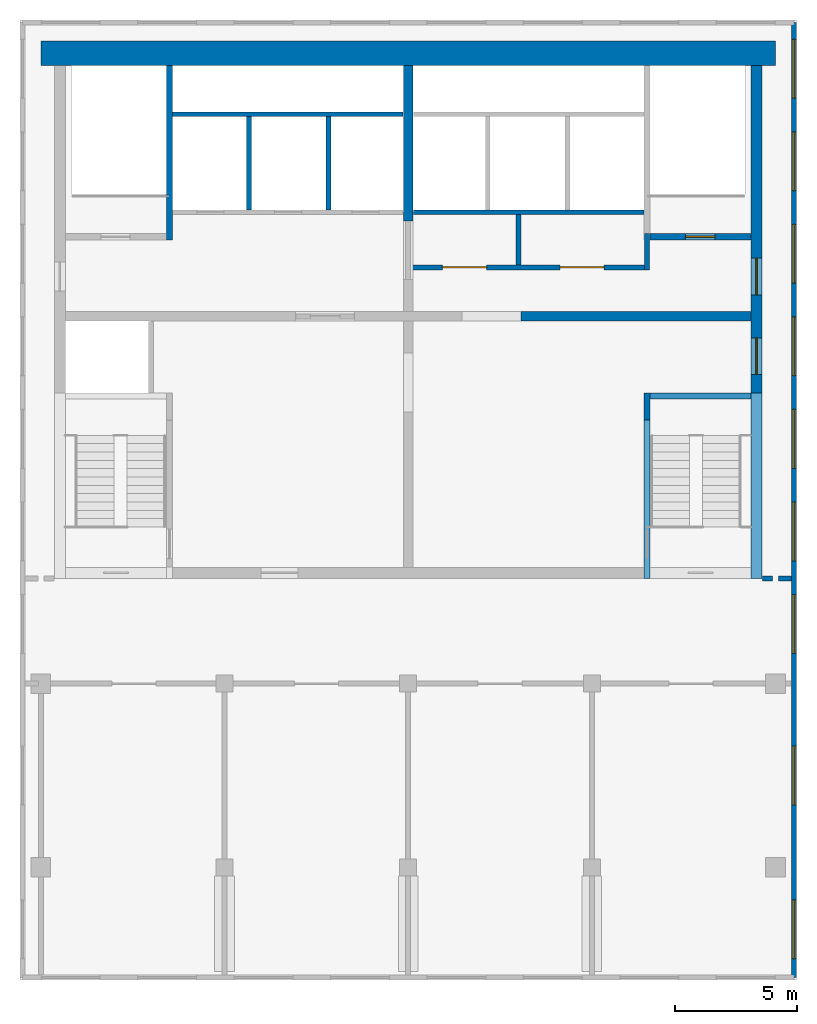
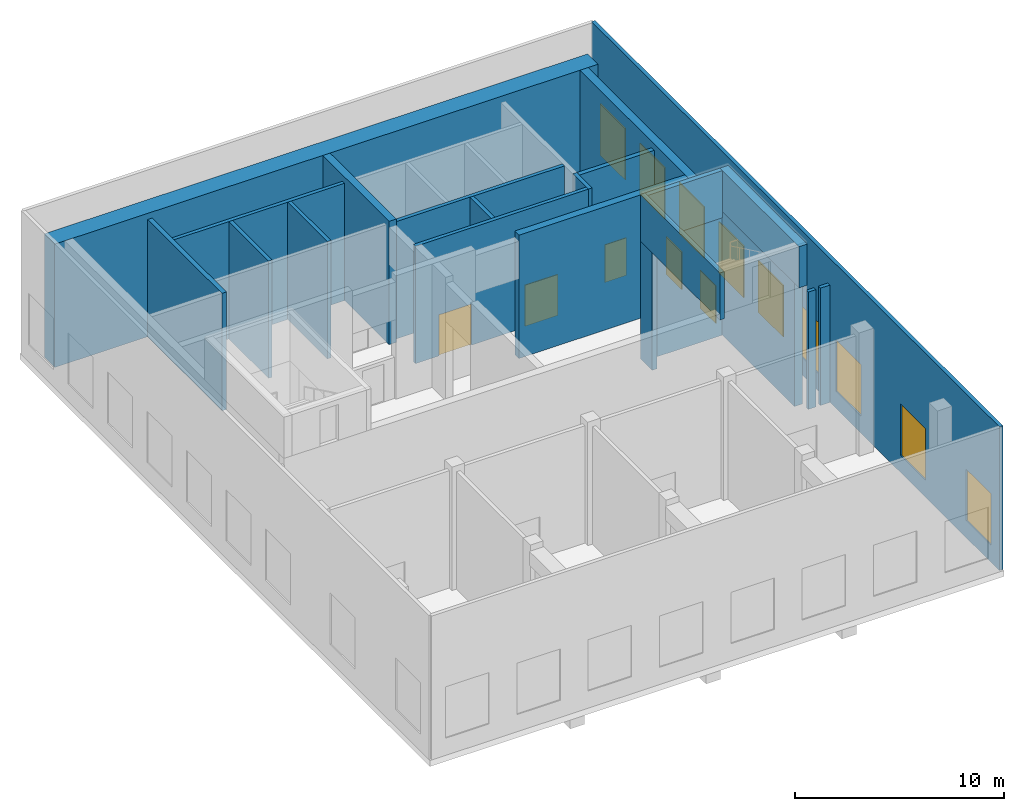
# One storey, part 3 of 5: 21 walls, 9 windows, 5 doors, 14 openings.
"""IFC4 building model written with IfcOpenShell, lengths in metres."""

from ifc_helpers import new_model, si_unit, direction, frame, frame_2d, origin, place, context, subcontext, project, spatial, rectangle, extrude, material, layer, layer_set, type_object, element, fill, save


model = new_model("IFC4")

# Units and contexts
model_context = context("Model", 3, precision=1e-05, world=origin(), true_north=direction((0.0, 1.0)))
body_context = subcontext(model_context, "Body", "Model", "MODEL_VIEW")
ifc_project = project(units=[si_unit("LENGTHUNIT", "METRE"), si_unit("AREAUNIT", "SQUARE_METRE"), si_unit("VOLUMEUNIT", "CUBIC_METRE"), si_unit("PLANEANGLEUNIT", "RADIAN"), si_unit("MASSUNIT", "GRAM", prefix="KILO")], contexts=[model_context])

# Site, building, storey
site_placement = place(None, origin())
site = spatial("IfcSite", under=ifc_project, at=site_placement, CompositionType="ELEMENT")
building_placement = place(site_placement, origin())
building = spatial("IfcBuilding", under=site, at=building_placement, Name="Pilkhan Gate Tower", CompositionType="ELEMENT")
storey_placement = place(building_placement, frame((0.0, 0.0, 292.699951171875)))
storey = spatial("IfcBuildingStorey", under=building, at=storey_placement, Name="RF", CompositionType="ELEMENT", Elevation=292.699951171875)

# Wall
ifc_material_1 = material(Name="Concrete C50/60", Category="concrete")
ifc_layer_1 = layer(ifc_material_1, 1.0)
ifc_layer_set_1 = layer_set([ifc_layer_1], Name="Core wall CW1000 C50/60")
wall_type_1 = type_object("IfcWallType", Name="Core wall CW1000 C50/60", PredefinedType="SHEAR", material=ifc_layer_set_1)
wall_1_placement = place(storey_placement, frame((90.0, 93.25, 0.0), z_axis=(0.0, 0.0, 1.0), x_axis=(-1.0, 0.0, 0.0)))
element("IfcWall", 1, at=wall_1_placement, inside=storey, type_object=wall_type_1, Name="Core wall N RF", PredefinedType="SHEAR", context=body_context, shape_type="SweptSolid", body=[
    extrude(rectangle(XDim=30.0, YDim=1.0, at=frame_2d((15.0, 0.0))), origin(), (0.0, 0.0, 1.0), 7.199951171875),
])

# Wall, openings, doors
ifc_layer_2 = layer(ifc_material_1, 0.449951171875)
ifc_layer_set_2 = layer_set([ifc_layer_2], Name="Core wall CW450 C50/60")
wall_type_2 = type_object("IfcWallType", Name="Core wall CW450 C50/60", PredefinedType="SHEAR", material=ifc_layer_set_2)
wall_2_placement = place(storey_placement, frame((89.22509765625, 72.25, 0.0), z_axis=(0.0, 0.0, 1.0), x_axis=(0.0, 1.0, 0.0)))
wall_2 = element("IfcWall", 2, at=wall_2_placement, inside=storey, type_object=wall_type_2, Name="Core wall E RF", PredefinedType="SHEAR", context=body_context, shape_type="SweptSolid", body=[
    extrude(rectangle(XDim=20.5, YDim=0.449951171875, at=frame_2d((10.25, 0.0))), origin(), (0.0, 0.0, 1.0), 7.199951171875),
])
opening_1_placement = place(wall_2_placement, frame((7.875, 0.0, 0.0)))
opening_1 = element("IfcOpeningElement", 3, at=opening_1_placement, cuts=wall_2, Name="Opening RF-07", PredefinedType="OPENING", context=body_context, shape_type="SweptSolid", body=[
    extrude(rectangle(XDim=1.5, YDim=2.199951171875, at=frame_2d((0.75, 1.10009765625))), frame((0.0, 0.23486328125, 0.0), z_axis=(0.0, -1.0, 0.0), x_axis=(1.0, 0.0, 0.0)), (0.0, 0.0, 1.0), 0.469970703125),
])
opening_2_placement = place(wall_2_placement, frame((11.125, 0.0, 0.0)))
opening_2 = element("IfcOpeningElement", 4, at=opening_2_placement, cuts=wall_2, Name="Opening RF-09", PredefinedType="OPENING", context=body_context, shape_type="SweptSolid", body=[
    extrude(rectangle(XDim=1.5, YDim=2.199951171875, at=frame_2d((0.75, 1.10009765625))), frame((0.0, 0.23486328125, 0.0), z_axis=(0.0, -1.0, 0.0), x_axis=(1.0, 0.0, 0.0)), (0.0, 0.0, 1.0), 0.469970703125),
])
ifc_material_2 = material(Name="Steel framed glazed door, 60 minute fire resisting", Category="steel")
door_type_1 = type_object("IfcDoorType", Name="Lobby door D09 1500x2200", OperationType="DOUBLE_DOOR_SINGLE_SWING", PredefinedType="DOOR", material=ifc_material_2)
door_1_placement = place(opening_1_placement, origin())
door_1 = element("IfcDoor", 5, at=door_1_placement, inside=storey, type_object=door_type_1, Name="Core door", OperationType="DOUBLE_DOOR_SINGLE_SWING", OverallHeight=2.199951171875, OverallWidth=1.5, PredefinedType="DOOR", context=body_context, shape_type="SweptSolid", body=[
    extrude(rectangle(XDim=1.5, YDim=2.199951171875, at=frame_2d((0.75, 1.10009765625))), frame((0.0, 0.02490234375, 0.0), z_axis=(0.0, -1.0, 0.0), x_axis=(1.0, 0.0, 0.0)), (0.0, 0.0, 1.0), 0.050048828125),
])
fill(opening_1, door_1)
door_2_placement = place(opening_2_placement, origin())
door_2 = element("IfcDoor", 6, at=door_2_placement, inside=storey, type_object=door_type_1, Name="Core door", OperationType="DOUBLE_DOOR_SINGLE_SWING", OverallHeight=2.199951171875, OverallWidth=1.5, PredefinedType="DOOR", context=body_context, shape_type="SweptSolid", body=[
    extrude(rectangle(XDim=1.5, YDim=2.199951171875, at=frame_2d((0.75, 1.10009765625))), frame((0.0, 0.02490234375, 0.0), z_axis=(0.0, -1.0, 0.0), x_axis=(1.0, 0.0, 0.0)), (0.0, 0.0, 1.0), 0.050048828125),
])
fill(opening_2, door_2)

# Walls
ifc_material_3 = material(Name="Dense blockwork", Category="masonry")
ifc_layer_3 = layer(ifc_material_3, 0.199951171875)
ifc_layer_set_3 = layer_set([ifc_layer_3], Name="Corridor wall FW200")
wall_type_3 = type_object("IfcWallType", Name="Corridor wall FW200", PredefinedType="PARTITIONING", material=ifc_layer_set_3)
wall_3_placement = place(storey_placement, frame((89.4599609375, 71.800048828125, 0.0), z_axis=(0.0, 0.0, 1.0), x_axis=(1.0, 0.0, 0.0)))
element("IfcWall", 7, at=wall_3_placement, inside=storey, type_object=wall_type_3, Name="Partition RF", PredefinedType="PARTITIONING", context=body_context, shape_type="SweptSolid", body=[
    extrude(rectangle(XDim=0.419921875, YDim=0.199951171875, at=frame_2d((0.2099609375, 0.0))), origin(), (0.0, 0.0, 1.0), 6.85009765625),
])
wall_4_placement = place(storey_placement, frame((90.1201171875, 71.800048828125, 0.0), z_axis=(0.0, 0.0, 1.0), x_axis=(1.0, 0.0, 0.0)))
element("IfcWall", 8, at=wall_4_placement, inside=storey, type_object=wall_type_3, Name="Partition RF", PredefinedType="PARTITIONING", context=body_context, shape_type="SweptSolid", body=[
    extrude(rectangle(XDim=0.52490234375, YDim=0.199951171875, at=frame_2d((0.262451171875, 0.0))), origin(), (0.0, 0.0, 1.0), 6.85009765625),
])
ifc_material_4 = material(Name="Reinforced blockwork, 120 minute fire resisting", Category="masonry")
ifc_layer_4 = layer(ifc_material_4, 0.25)
ifc_layer_set_4 = layer_set([ifc_layer_4], Name="Head house wall HW250")
wall_type_4 = type_object("IfcWallType", Name="Head house wall HW250", PredefinedType="SOLIDWALL", material=ifc_layer_set_4)
wall_5_placement = place(storey_placement, frame((84.75, 71.800048828125, 6.85009765625), z_axis=(0.0, 0.0, 1.0), x_axis=(0.0, 1.0, 0.0)))
element("IfcWall", 9, at=wall_5_placement, inside=storey, type_object=wall_type_4, Name="Stair ST1 head house wall", PredefinedType="SOLIDWALL", context=body_context, shape_type="SweptSolid", body=[
    extrude(rectangle(XDim=7.574951171875, YDim=0.25, at=frame_2d((3.78759765625, 0.0))), origin(), (0.0, 0.0, 1.0), 2.75),
])
wall_6_placement = place(storey_placement, frame((84.875, 79.25, 6.85009765625), z_axis=(0.0, 0.0, 1.0), x_axis=(1.0, 0.0, 0.0)))
element("IfcWall", 10, at=wall_6_placement, inside=storey, type_object=wall_type_4, Name="Stair ST1 head house wall", PredefinedType="SOLIDWALL", context=body_context, shape_type="SweptSolid", body=[
    extrude(rectangle(XDim=4.125, YDim=0.25, at=frame_2d((2.0625, 0.0))), origin(), (0.0, 0.0, 1.0), 2.75),
])
ifc_layer_5 = layer(ifc_material_1, 0.449951171875)
ifc_layer_set_5 = layer_set([ifc_layer_5], Name="Head house wall HW450 C50/60")
wall_type_5 = type_object("IfcWallType", Name="Head house wall HW450 C50/60", PredefinedType="SHEAR", material=ifc_layer_set_5)
wall_7_placement = place(storey_placement, frame((89.22509765625, 71.800048828125, 7.199951171875), z_axis=(0.0, 0.0, 1.0), x_axis=(0.0, 1.0, 0.0)))
element("IfcWall", 11, at=wall_7_placement, inside=storey, type_object=wall_type_5, Name="Stair ST1 head house wall", PredefinedType="SHEAR", context=body_context, shape_type="SweptSolid", body=[
    extrude(rectangle(XDim=7.574951171875, YDim=0.449951171875, at=frame_2d((3.78759765625, 0.0))), origin(), (0.0, 0.0, 1.0), 2.400146484375),
])

# Wall, openings, doors
ifc_layer_6 = layer(ifc_material_3, 0.199951171875)
ifc_layer_set_6 = layer_set([ifc_layer_6], Name="Lobby wall LW200")
wall_type_6 = type_object("IfcWallType", Name="Lobby wall LW200", PredefinedType="PARTITIONING", material=ifc_layer_set_6)
wall_8_placement = place(storey_placement, frame((75.10009765625, 84.5, 0.0), z_axis=(0.0, 0.0, 1.0), x_axis=(1.0, 0.0, 0.0)))
wall_8 = element("IfcWall", 12, at=wall_8_placement, inside=storey, type_object=wall_type_6, Name="Partition RF", PredefinedType="PARTITIONING", context=body_context, shape_type="SweptSolid", body=[
    extrude(rectangle(XDim=9.5498046875, YDim=0.199951171875, at=frame_2d((4.77490234375, 0.0))), origin(), (0.0, 0.0, 1.0), 6.85009765625),
])
opening_3_placement = place(wall_8_placement, frame((1.300048828125, 0.0, 0.0)))
opening_3 = element("IfcOpeningElement", 13, at=opening_3_placement, cuts=wall_8, Name="Opening RF-10", PredefinedType="OPENING", context=body_context, shape_type="SweptSolid", body=[
    extrude(rectangle(XDim=1.800048828125, YDim=2.39990234375, at=frame_2d((0.89990234375, 1.199951171875))), frame((0.0, 0.10986328125, 0.0), z_axis=(0.0, -1.0, 0.0), x_axis=(1.0, 0.0, 0.0)), (0.0, 0.0, 1.0), 0.219970703125),
])
opening_4_placement = place(wall_8_placement, frame((6.10009765625, 0.0, 0.0)))
opening_4 = element("IfcOpeningElement", 14, at=opening_4_placement, cuts=wall_8, Name="Opening RF-11", PredefinedType="OPENING", context=body_context, shape_type="SweptSolid", body=[
    extrude(rectangle(XDim=1.800048828125, YDim=2.39990234375, at=frame_2d((0.89990234375, 1.199951171875))), frame((0.0, 0.10986328125, 0.0), z_axis=(0.0, -1.0, 0.0), x_axis=(1.0, 0.0, 0.0)), (0.0, 0.0, 1.0), 0.219970703125),
])
ifc_material_5 = material(Name="Steel door, 120 minute fire resisting", Category="steel")
door_type_2 = type_object("IfcDoorType", Name="Plant room door D08 1800x2400", OperationType="DOUBLE_DOOR_SINGLE_SWING", PredefinedType="DOOR", material=ifc_material_5)
door_3_placement = place(opening_3_placement, origin())
door_3 = element("IfcDoor", 15, at=door_3_placement, inside=storey, type_object=door_type_2, Name="Plant room door", OperationType="DOUBLE_DOOR_SINGLE_SWING", OverallHeight=2.39990234375, OverallWidth=1.800048828125, PredefinedType="DOOR", context=body_context, shape_type="SweptSolid", body=[
    extrude(rectangle(XDim=1.800048828125, YDim=2.39990234375, at=frame_2d((0.89990234375, 1.199951171875))), frame((0.0, 0.02490234375, 0.0), z_axis=(0.0, -1.0, 0.0), x_axis=(1.0, 0.0, 0.0)), (0.0, 0.0, 1.0), 0.050048828125),
])
fill(opening_3, door_3)
door_4_placement = place(opening_4_placement, origin())
door_4 = element("IfcDoor", 16, at=door_4_placement, inside=storey, type_object=door_type_2, Name="Plant room door", OperationType="DOUBLE_DOOR_SINGLE_SWING", OverallHeight=2.39990234375, OverallWidth=1.800048828125, PredefinedType="DOOR", context=body_context, shape_type="SweptSolid", body=[
    extrude(rectangle(XDim=1.800048828125, YDim=2.39990234375, at=frame_2d((0.89990234375, 1.199951171875))), frame((0.0, 0.02490234375, 0.0), z_axis=(0.0, -1.0, 0.0), x_axis=(1.0, 0.0, 0.0)), (0.0, 0.0, 1.0), 0.050048828125),
])
fill(opening_4, door_4)

# Walls
wall_9_placement = place(storey_placement, frame((79.5, 84.60009765625, 0.0), z_axis=(0.0, 0.0, 1.0), x_axis=(0.0, 1.0, 0.0)))
element("IfcWall", 17, at=wall_9_placement, inside=storey, type_object=wall_type_6, Name="Partition RF", PredefinedType="PARTITIONING", context=body_context, shape_type="SweptSolid", body=[
    extrude(rectangle(XDim=2.0498046875, YDim=0.199951171875, at=frame_2d((1.02490234375, 0.0))), origin(), (0.0, 0.0, 1.0), 6.85009765625),
])
wall_10_placement = place(storey_placement, frame((84.75, 84.39990234375, 0.0), z_axis=(0.0, 0.0, 1.0), x_axis=(0.0, 1.0, 0.0)))
element("IfcWall", 18, at=wall_10_placement, inside=storey, type_object=wall_type_6, Name="Partition RF", PredefinedType="PARTITIONING", context=body_context, shape_type="SweptSolid", body=[
    extrude(rectangle(XDim=1.47509765625, YDim=0.199951171875, at=frame_2d((0.737548828125, 0.0))), origin(), (0.0, 0.0, 1.0), 6.85009765625),
])

# Wall, openings, windows
ifc_material_6 = material(Name="Pale anodised aluminium cladding", Category="aluminium")
ifc_layer_7 = layer(ifc_material_6, 0.199951171875)
ifc_layer_set_7 = layer_set([ifc_layer_7], Name="Plant screen wall PS200")
wall_type_7 = type_object("IfcWallType", Name="Plant screen wall PS200", PredefinedType="SOLIDWALL", material=ifc_layer_set_7)
wall_11_placement = place(storey_placement, frame((90.75, 55.5, 0.0), z_axis=(0.0, 0.0, 1.0), x_axis=(0.0, 1.0, 0.0)))
wall_11 = element("IfcWall", 19, at=wall_11_placement, inside=storey, type_object=wall_type_7, Name="Plant screen wall RF E", PredefinedType="SOLIDWALL", context=body_context, shape_type="SweptSolid", body=[
    extrude(rectangle(XDim=39.0, YDim=0.199951171875, at=frame_2d((19.5, 0.0))), origin(), (0.0, 0.0, 1.0), 8.400146484375),
])
opening_5_placement = place(wall_11_placement, frame((0.77490234375, 0.0, 1.0)))
opening_5 = element("IfcOpeningElement", 20, at=opening_5_placement, cuts=wall_11, Name="Opening WL1", PredefinedType="OPENING", context=body_context, shape_type="SweptSolid", body=[
    extrude(rectangle(XDim=2.39990234375, YDim=3.0, at=frame_2d((1.199951171875, 1.5))), frame((0.0, 0.10986328125, 0.0), z_axis=(0.0, -1.0, 0.0), x_axis=(1.0, 0.0, 0.0)), (0.0, 0.0, 1.0), 0.219970703125),
])
opening_6_placement = place(wall_11_placement, frame((7.050048828125, 0.0, 1.0)))
opening_6 = element("IfcOpeningElement", 21, at=opening_6_placement, cuts=wall_11, Name="Opening WL1", PredefinedType="OPENING", context=body_context, shape_type="SweptSolid", body=[
    extrude(rectangle(XDim=2.39990234375, YDim=3.0, at=frame_2d((1.199951171875, 1.5))), frame((0.0, 0.10986328125, 0.0), z_axis=(0.0, -1.0, 0.0), x_axis=(1.0, 0.0, 0.0)), (0.0, 0.0, 1.0), 0.219970703125),
])
opening_7_placement = place(wall_11_placement, frame((13.2392578125, 0.0, 1.0)))
opening_7 = element("IfcOpeningElement", 22, at=opening_7_placement, cuts=wall_11, Name="Opening WL1", PredefinedType="OPENING", context=body_context, shape_type="SweptSolid", body=[
    extrude(rectangle(XDim=2.39990234375, YDim=3.0, at=frame_2d((1.199951171875, 1.5))), frame((0.0, 0.10986328125, 0.0), z_axis=(0.0, -1.0, 0.0), x_axis=(1.0, 0.0, 0.0)), (0.0, 0.0, 1.0), 0.219970703125),
])
opening_8_placement = place(wall_11_placement, frame((17.017822265625, 0.0, 1.0)))
opening_8 = element("IfcOpeningElement", 23, at=opening_8_placement, cuts=wall_11, Name="Opening WL1", PredefinedType="OPENING", context=body_context, shape_type="SweptSolid", body=[
    extrude(rectangle(XDim=2.39990234375, YDim=3.0, at=frame_2d((1.199951171875, 1.5))), frame((0.0, 0.10986328125, 0.0), z_axis=(0.0, -1.0, 0.0), x_axis=(1.0, 0.0, 0.0)), (0.0, 0.0, 1.0), 0.219970703125),
])
opening_9_placement = place(wall_11_placement, frame((20.79638671875, 0.0, 1.0)))
opening_9 = element("IfcOpeningElement", 24, at=opening_9_placement, cuts=wall_11, Name="Opening WL1", PredefinedType="OPENING", context=body_context, shape_type="SweptSolid", body=[
    extrude(rectangle(XDim=2.39990234375, YDim=3.0, at=frame_2d((1.199951171875, 1.5))), frame((0.0, 0.10986328125, 0.0), z_axis=(0.0, -1.0, 0.0), x_axis=(1.0, 0.0, 0.0)), (0.0, 0.0, 1.0), 0.219970703125),
])
opening_10_placement = place(wall_11_placement, frame((24.574951171875, 0.0, 1.0)))
opening_10 = element("IfcOpeningElement", 25, at=opening_10_placement, cuts=wall_11, Name="Opening WL1", PredefinedType="OPENING", context=body_context, shape_type="SweptSolid", body=[
    extrude(rectangle(XDim=2.39990234375, YDim=3.0, at=frame_2d((1.199951171875, 1.5))), frame((0.0, 0.10986328125, 0.0), z_axis=(0.0, -1.0, 0.0), x_axis=(1.0, 0.0, 0.0)), (0.0, 0.0, 1.0), 0.219970703125),
])
opening_11_placement = place(wall_11_placement, frame((28.353515625, 0.0, 1.0)))
opening_11 = element("IfcOpeningElement", 26, at=opening_11_placement, cuts=wall_11, Name="Opening WL1", PredefinedType="OPENING", context=body_context, shape_type="SweptSolid", body=[
    extrude(rectangle(XDim=2.39990234375, YDim=3.0, at=frame_2d((1.199951171875, 1.5))), frame((0.0, 0.10986328125, 0.0), z_axis=(0.0, -1.0, 0.0), x_axis=(1.0, 0.0, 0.0)), (0.0, 0.0, 1.0), 0.219970703125),
])
opening_12_placement = place(wall_11_placement, frame((32.132080078125, 0.0, 1.0)))
opening_12 = element("IfcOpeningElement", 27, at=opening_12_placement, cuts=wall_11, Name="Opening WL1", PredefinedType="OPENING", context=body_context, shape_type="SweptSolid", body=[
    extrude(rectangle(XDim=2.39990234375, YDim=3.0, at=frame_2d((1.199951171875, 1.5))), frame((0.0, 0.10986328125, 0.0), z_axis=(0.0, -1.0, 0.0), x_axis=(1.0, 0.0, 0.0)), (0.0, 0.0, 1.0), 0.219970703125),
])
opening_13_placement = place(wall_11_placement, frame((35.91064453125, 0.0, 1.0)))
opening_13 = element("IfcOpeningElement", 28, at=opening_13_placement, cuts=wall_11, Name="Opening WL1", PredefinedType="OPENING", context=body_context, shape_type="SweptSolid", body=[
    extrude(rectangle(XDim=2.39990234375, YDim=3.0, at=frame_2d((1.199951171875, 1.5))), frame((0.0, 0.10986328125, 0.0), z_axis=(0.0, -1.0, 0.0), x_axis=(1.0, 0.0, 0.0)), (0.0, 0.0, 1.0), 0.219970703125),
])
ifc_material_7 = material(Name="Pale anodised aluminium storm louvre, bird mesh", Category="aluminium")
window_type = type_object("IfcWindowType", Name="Plant louvre WL1 2400x3000", PartitioningType="SINGLE_PANEL", PredefinedType="USERDEFINED", material=ifc_material_7)
window_1_placement = place(opening_5_placement, origin())
window_1 = element("IfcWindow", 29, at=window_1_placement, inside=storey, type_object=window_type, Name="Louvre RF", ObjectType="LOUVRE", OverallHeight=3.0, OverallWidth=2.39990234375, PartitioningType="SINGLE_PANEL", PredefinedType="USERDEFINED", context=body_context, shape_type="SweptSolid", body=[
    extrude(rectangle(XDim=2.39990234375, YDim=3.0, at=frame_2d((1.199951171875, 1.5))), frame((0.0, 0.030029296875, 0.0), z_axis=(0.0, -1.0, 0.0), x_axis=(1.0, 0.0, 0.0)), (0.0, 0.0, 1.0), 0.06005859375),
])
fill(opening_5, window_1)
window_2_placement = place(opening_6_placement, origin())
window_2 = element("IfcWindow", 30, at=window_2_placement, inside=storey, type_object=window_type, Name="Louvre RF", ObjectType="LOUVRE", OverallHeight=3.0, OverallWidth=2.39990234375, PartitioningType="SINGLE_PANEL", PredefinedType="USERDEFINED", context=body_context, shape_type="SweptSolid", body=[
    extrude(rectangle(XDim=2.39990234375, YDim=3.0, at=frame_2d((1.199951171875, 1.5))), frame((0.0, 0.030029296875, 0.0), z_axis=(0.0, -1.0, 0.0), x_axis=(1.0, 0.0, 0.0)), (0.0, 0.0, 1.0), 0.06005859375),
])
fill(opening_6, window_2)
window_3_placement = place(opening_7_placement, origin())
window_3 = element("IfcWindow", 31, at=window_3_placement, inside=storey, type_object=window_type, Name="Louvre RF", ObjectType="LOUVRE", OverallHeight=3.0, OverallWidth=2.39990234375, PartitioningType="SINGLE_PANEL", PredefinedType="USERDEFINED", context=body_context, shape_type="SweptSolid", body=[
    extrude(rectangle(XDim=2.39990234375, YDim=3.0, at=frame_2d((1.199951171875, 1.5))), frame((0.0, 0.030029296875, 0.0), z_axis=(0.0, -1.0, 0.0), x_axis=(1.0, 0.0, 0.0)), (0.0, 0.0, 1.0), 0.06005859375),
])
fill(opening_7, window_3)
window_4_placement = place(opening_8_placement, origin())
window_4 = element("IfcWindow", 32, at=window_4_placement, inside=storey, type_object=window_type, Name="Louvre RF", ObjectType="LOUVRE", OverallHeight=3.0, OverallWidth=2.39990234375, PartitioningType="SINGLE_PANEL", PredefinedType="USERDEFINED", context=body_context, shape_type="SweptSolid", body=[
    extrude(rectangle(XDim=2.39990234375, YDim=3.0, at=frame_2d((1.199951171875, 1.5))), frame((0.0, 0.030029296875, 0.0), z_axis=(0.0, -1.0, 0.0), x_axis=(1.0, 0.0, 0.0)), (0.0, 0.0, 1.0), 0.06005859375),
])
fill(opening_8, window_4)
window_5_placement = place(opening_9_placement, origin())
window_5 = element("IfcWindow", 33, at=window_5_placement, inside=storey, type_object=window_type, Name="Louvre RF", ObjectType="LOUVRE", OverallHeight=3.0, OverallWidth=2.39990234375, PartitioningType="SINGLE_PANEL", PredefinedType="USERDEFINED", context=body_context, shape_type="SweptSolid", body=[
    extrude(rectangle(XDim=2.39990234375, YDim=3.0, at=frame_2d((1.199951171875, 1.5))), frame((0.0, 0.030029296875, 0.0), z_axis=(0.0, -1.0, 0.0), x_axis=(1.0, 0.0, 0.0)), (0.0, 0.0, 1.0), 0.06005859375),
])
fill(opening_9, window_5)
window_6_placement = place(opening_10_placement, origin())
window_6 = element("IfcWindow", 34, at=window_6_placement, inside=storey, type_object=window_type, Name="Louvre RF", ObjectType="LOUVRE", OverallHeight=3.0, OverallWidth=2.39990234375, PartitioningType="SINGLE_PANEL", PredefinedType="USERDEFINED", context=body_context, shape_type="SweptSolid", body=[
    extrude(rectangle(XDim=2.39990234375, YDim=3.0, at=frame_2d((1.199951171875, 1.5))), frame((0.0, 0.030029296875, 0.0), z_axis=(0.0, -1.0, 0.0), x_axis=(1.0, 0.0, 0.0)), (0.0, 0.0, 1.0), 0.06005859375),
])
fill(opening_10, window_6)
window_7_placement = place(opening_11_placement, origin())
window_7 = element("IfcWindow", 35, at=window_7_placement, inside=storey, type_object=window_type, Name="Louvre RF", ObjectType="LOUVRE", OverallHeight=3.0, OverallWidth=2.39990234375, PartitioningType="SINGLE_PANEL", PredefinedType="USERDEFINED", context=body_context, shape_type="SweptSolid", body=[
    extrude(rectangle(XDim=2.39990234375, YDim=3.0, at=frame_2d((1.199951171875, 1.5))), frame((0.0, 0.030029296875, 0.0), z_axis=(0.0, -1.0, 0.0), x_axis=(1.0, 0.0, 0.0)), (0.0, 0.0, 1.0), 0.06005859375),
])
fill(opening_11, window_7)
window_8_placement = place(opening_12_placement, origin())
window_8 = element("IfcWindow", 36, at=window_8_placement, inside=storey, type_object=window_type, Name="Louvre RF", ObjectType="LOUVRE", OverallHeight=3.0, OverallWidth=2.39990234375, PartitioningType="SINGLE_PANEL", PredefinedType="USERDEFINED", context=body_context, shape_type="SweptSolid", body=[
    extrude(rectangle(XDim=2.39990234375, YDim=3.0, at=frame_2d((1.199951171875, 1.5))), frame((0.0, 0.030029296875, 0.0), z_axis=(0.0, -1.0, 0.0), x_axis=(1.0, 0.0, 0.0)), (0.0, 0.0, 1.0), 0.06005859375),
])
fill(opening_12, window_8)
window_9_placement = place(opening_13_placement, origin())
window_9 = element("IfcWindow", 37, at=window_9_placement, inside=storey, type_object=window_type, Name="Louvre RF", ObjectType="LOUVRE", OverallHeight=3.0, OverallWidth=2.39990234375, PartitioningType="SINGLE_PANEL", PredefinedType="USERDEFINED", context=body_context, shape_type="SweptSolid", body=[
    extrude(rectangle(XDim=2.39990234375, YDim=3.0, at=frame_2d((1.199951171875, 1.5))), frame((0.0, 0.030029296875, 0.0), z_axis=(0.0, -1.0, 0.0), x_axis=(1.0, 0.0, 0.0)), (0.0, 0.0, 1.0), 0.06005859375),
])
fill(opening_13, window_9)

# Walls
ifc_material_8 = material(Name="Reinforced blockwork shaft wall, 120 minute fire resisting", Category="masonry")
ifc_layer_8 = layer(ifc_material_8, 0.199951171875)
ifc_layer_set_8 = layer_set([ifc_layer_8], Name="Shaft wall SW200")
wall_type_8 = type_object("IfcWallType", Name="Shaft wall SW200", PredefinedType="PARTITIONING", material=ifc_layer_set_8)
for number, where, z_axis, x_axis, name in (
    (38, (75.2099609375, 86.75, 0.0), (0.0, 0.0, 1.0), (1.0, 0.0, 0.0), "Partition RF"),
    (39, (65.375, 90.75, 0.0), (0.0, 0.0, 1.0), (1.0, 0.0, 0.0), "Partition RF"),
):
    element("IfcWall", number, at=place(storey_placement, frame(where, z_axis=z_axis, x_axis=x_axis)), inside=storey, type_object=wall_type_8, Name=name, PredefinedType="PARTITIONING", context=body_context, shape_type="SweptSolid", body=[
        extrude(rectangle(XDim=9.4150390625, YDim=0.199951171875, at=frame_2d((4.70751953125, 0.0))), origin(), (0.0, 0.0, 1.0), 6.85009765625),
    ])
for number, where, z_axis, x_axis, name in (
    (40, (68.5, 86.85009765625, 0.0), (0.0, 0.0, 1.0), (0.0, 1.0, 0.0), "Partition RF"),
    (41, (71.75, 86.85009765625, 0.0), (0.0, 0.0, 1.0), (0.0, 1.0, 0.0), "Partition RF"),
):
    element("IfcWall", number, at=place(storey_placement, frame(where, z_axis=z_axis, x_axis=x_axis)), inside=storey, type_object=wall_type_8, Name=name, PredefinedType="PARTITIONING", context=body_context, shape_type="SweptSolid", body=[
        extrude(rectangle(XDim=3.7998046875, YDim=0.199951171875, at=frame_2d((1.89990234375, 0.0))), origin(), (0.0, 0.0, 1.0), 6.85009765625),
    ])
ifc_layer_9 = layer(ifc_material_1, 0.39990234375)
ifc_layer_set_9 = layer_set([ifc_layer_9], Name="Spine wall SW400 C50/60")
wall_type_9 = type_object("IfcWallType", Name="Spine wall SW400 C50/60", PredefinedType="SHEAR", material=ifc_layer_set_9)
wall_12_placement = place(storey_placement, frame((79.60009765625, 82.5, 0.0), z_axis=(0.0, 0.0, 1.0), x_axis=(1.0, 0.0, 0.0)))
element("IfcWall", 42, at=wall_12_placement, inside=storey, type_object=wall_type_9, Name="Spine wall SP-EW3 RF", PredefinedType="SHEAR", context=body_context, shape_type="SweptSolid", body=[
    extrude(rectangle(XDim=9.39990234375, YDim=0.39990234375, at=frame_2d((4.699951171875, 0.0))), origin(), (0.0, 0.0, 1.0), 7.199951171875),
])
wall_13_placement = place(storey_placement, frame((75.0, 86.39990234375, 0.0), z_axis=(0.0, 0.0, 1.0), x_axis=(0.0, 1.0, 0.0)))
element("IfcWall", 43, at=wall_13_placement, inside=storey, type_object=wall_type_9, Name="Spine wall SP-NS-N2 RF", PredefinedType="SHEAR", context=body_context, shape_type="SweptSolid", body=[
    extrude(rectangle(XDim=6.35009765625, YDim=0.39990234375, at=frame_2d((3.175048828125, 0.0))), origin(), (0.0, 0.0, 1.0), 7.199951171875),
])
ifc_layer_10 = layer(ifc_material_4, 0.25)
ifc_layer_set_10 = layer_set([ifc_layer_10], Name="Stair enclosure wall SE250")
wall_type_10 = type_object("IfcWallType", Name="Stair enclosure wall SE250", PredefinedType="PARTITIONING", material=ifc_layer_set_10)
wall_14_placement = place(storey_placement, frame((84.875, 79.25, 0.0), z_axis=(0.0, 0.0, 1.0), x_axis=(1.0, 0.0, 0.0)))
element("IfcWall", 44, at=wall_14_placement, inside=storey, type_object=wall_type_10, Name="Partition RF", PredefinedType="PARTITIONING", context=body_context, shape_type="SweptSolid", body=[
    extrude(rectangle(XDim=4.114990234375, YDim=0.25, at=frame_2d((2.0576171875, 0.0))), origin(), (0.0, 0.0, 1.0), 6.85009765625),
])

# Wall, opening, door
wall_15_placement = place(storey_placement, frame((84.875, 85.75, 0.0), z_axis=(0.0, 0.0, 1.0), x_axis=(1.0, 0.0, 0.0)))
wall_15 = element("IfcWall", 45, at=wall_15_placement, inside=storey, type_object=wall_type_10, Name="Partition RF", PredefinedType="PARTITIONING", context=body_context, shape_type="SweptSolid", body=[
    extrude(rectangle(XDim=4.114990234375, YDim=0.25, at=frame_2d((2.0576171875, 0.0))), origin(), (0.0, 0.0, 1.0), 6.85009765625),
])
opening_14_placement = place(wall_15_placement, frame((1.449951171875, 0.0, 0.0)))
opening_14 = element("IfcOpeningElement", 46, at=opening_14_placement, cuts=wall_15, Name="Opening RF-03", PredefinedType="OPENING", context=body_context, shape_type="SweptSolid", body=[
    extrude(rectangle(XDim=1.199951171875, YDim=2.199951171875, at=frame_2d((0.60009765625, 1.10009765625))), frame((0.0, 0.135009765625, 0.0), z_axis=(0.0, -1.0, 0.0), x_axis=(1.0, 0.0, 0.0)), (0.0, 0.0, 1.0), 0.27001953125),
])
ifc_material_9 = material(Name="Steel door, 120 minute fire resisting, panic bar", Category="steel")
door_type_3 = type_object("IfcDoorType", Name="Stair door D11 1200x2200", OperationType="SINGLE_SWING_LEFT", PredefinedType="DOOR", material=ifc_material_9)
door_5_placement = place(opening_14_placement, origin())
door_5 = element("IfcDoor", 47, at=door_5_placement, inside=storey, type_object=door_type_3, Name="Stair ST4 lobby door", OperationType="SINGLE_SWING_LEFT", OverallHeight=2.199951171875, OverallWidth=1.199951171875, PredefinedType="DOOR", context=body_context, shape_type="SweptSolid", body=[
    extrude(rectangle(XDim=1.199951171875, YDim=2.199951171875, at=frame_2d((0.60009765625, 1.10009765625))), frame((0.0, 0.02490234375, 0.0), z_axis=(0.0, -1.0, 0.0), x_axis=(1.0, 0.0, 0.0)), (0.0, 0.0, 1.0), 0.050048828125),
])
fill(opening_14, door_5)

# Walls
wall_16_placement = place(storey_placement, frame((65.25, 85.625, 0.0), z_axis=(0.0, 0.0, 1.0), x_axis=(0.0, 1.0, 0.0)))
element("IfcWall", 48, at=wall_16_placement, inside=storey, type_object=wall_type_10, Name="Partition RF", PredefinedType="PARTITIONING", context=body_context, shape_type="SweptSolid", body=[
    extrude(rectangle(XDim=7.114990234375, YDim=0.25, at=frame_2d((3.5576171875, 0.0))), origin(), (0.0, 0.0, 1.0), 6.85009765625),
])
wall_17_placement = place(storey_placement, frame((84.75, 78.260009765625, 0.0), z_axis=(0.0, 0.0, 1.0), x_axis=(0.0, 1.0, 0.0)))
element("IfcWall", 49, at=wall_17_placement, inside=storey, type_object=wall_type_10, Name="Partition RF", PredefinedType="PARTITIONING", context=body_context, shape_type="SweptSolid", body=[
    extrude(rectangle(XDim=1.114990234375, YDim=0.25, at=frame_2d((0.5576171875, 0.0))), origin(), (0.0, 0.0, 1.0), 6.85009765625),
])

save(model, "model.ifc")
